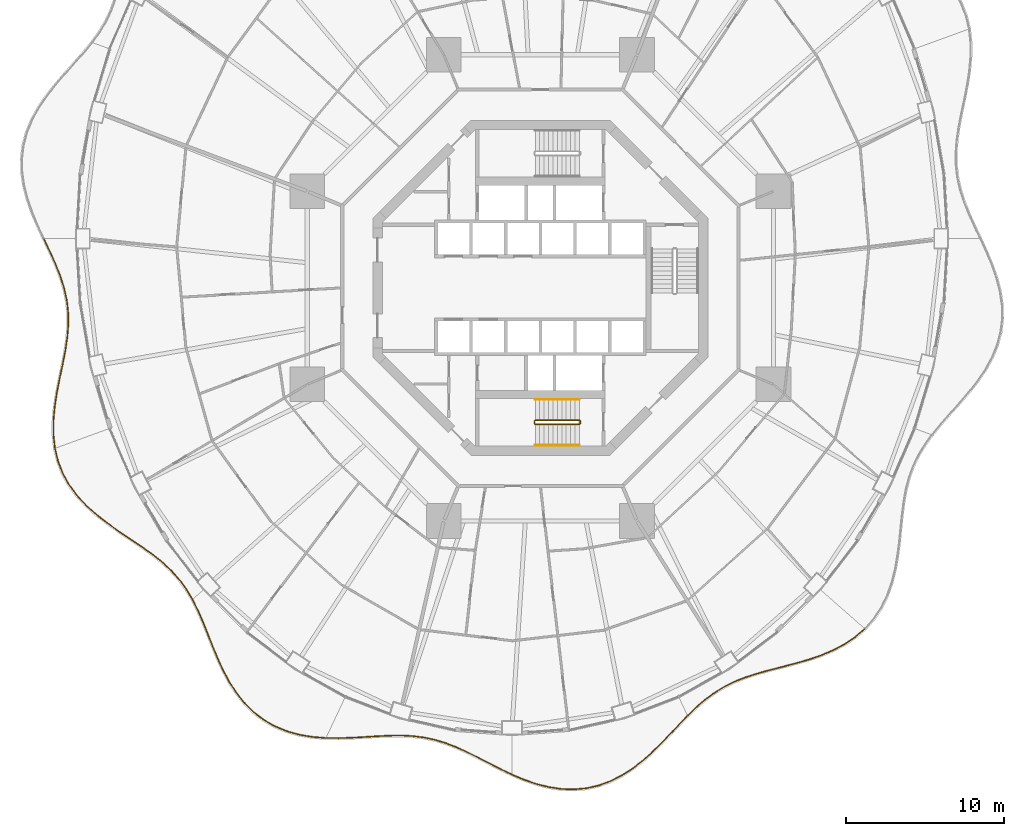
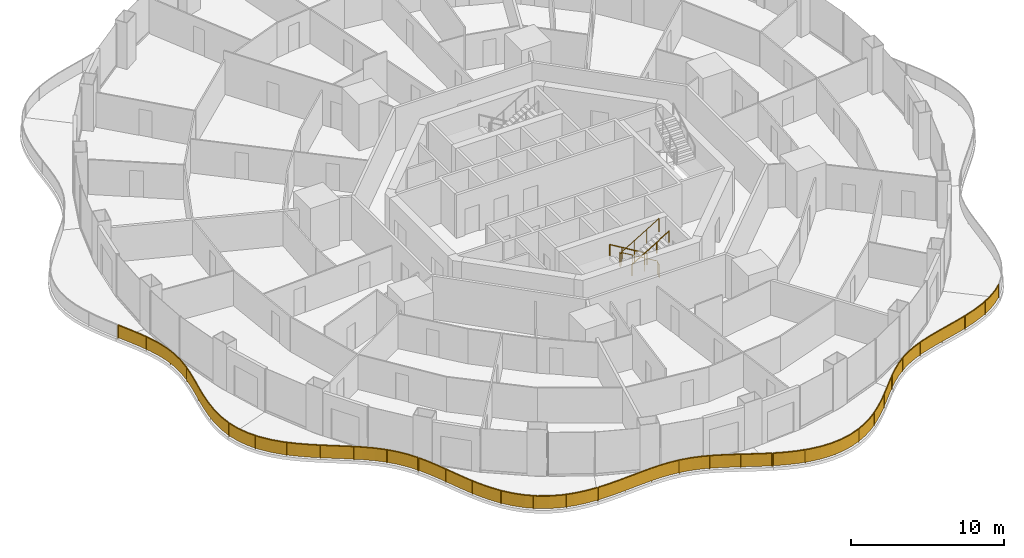
# One storey, part 20 of 22: 9 railings.
"""IFC4 building model written with IfcOpenShell, lengths in metres."""

from ifc_helpers import new_model, si_unit, direction, frame, origin, origin_2d, place, context, subcontext, project, spatial, polyline, rectangle, circle, outline, extrude, material, type_object, element, save


model = new_model("IFC4")

# Units and contexts
model_context = context("Model", 3, precision=1e-05, world=origin(), true_north=direction((0.0, 1.0)))
body_context = subcontext(model_context, "Body", "Model", "MODEL_VIEW")
ifc_project = project(units=[si_unit("LENGTHUNIT", "METRE"), si_unit("AREAUNIT", "SQUARE_METRE"), si_unit("VOLUMEUNIT", "CUBIC_METRE"), si_unit("PLANEANGLEUNIT", "RADIAN"), si_unit("MASSUNIT", "GRAM", prefix="KILO")], contexts=[model_context])

# Site, building, storey
site_placement = place(None, origin())
site = spatial("IfcSite", under=ifc_project, at=site_placement, CompositionType="ELEMENT")
building_placement = place(site_placement, origin())
building = spatial("IfcBuilding", under=site, at=building_placement, Name="Nagisa Residences", CompositionType="ELEMENT")
storey_placement = place(building_placement, frame((0.0, 0.0, 106.60009765625)))
storey = spatial("IfcBuildingStorey", under=building, at=storey_placement, Name="L26", CompositionType="ELEMENT", Elevation=106.60009765625)

# Railings
ifc_material_1 = material(Name="Stainless steel 316", Category="steel")
railing_type_1 = type_object("IfcRailingType", Name="BALCONY GUARD 1100", PredefinedType="BALUSTRADE", material=ifc_material_1)
railing_1_placement = place(storey_placement, frame((-31.473388671875, 3.08349609375, 0.0)))
element("IfcRailing", 1, at=railing_1_placement, inside=storey, type_object=railing_type_1, Name="guard:L26:bal08-0", PredefinedType="BALUSTRADE", context=body_context, shape_type="SweptSolid", body=[
    extrude(outline(polyline([(0.386474609375, -0.7548828125), (0.022705078125, 0.0107421875), (-0.022705078125, -0.0107421875), (0.341064453125, -0.77587890625), (0.6982421875, -1.56689453125), (1.008544921875, -2.3466796875), (1.2548828125, -3.119873046875), (1.424560546875, -3.893310546875), (1.51025390625, -4.65966796875), (1.516357421875, -5.453125), (1.449462890625, -6.2646484375), (1.3232421875, -7.097900390625), (1.1572265625, -7.953125), (0.97119140625, -8.815185546875), (0.796875, -9.70703125), (0.6572265625, -10.608154296875), (0.57666015625, -11.50927734375), (0.57568359375, -12.40087890625), (0.665771484375, -13.224853515625), (0.715576171875, -13.219482421875), (0.6259765625, -12.39794921875), (0.62646484375, -11.51171875), (0.70703125, -10.614013671875), (0.84619140625, -9.7158203125), (1.02001953125, -8.825439453125), (1.2060546875, -7.96337890625), (1.37255859375, -7.106201171875), (1.499267578125, -6.2705078125), (1.566650390625, -5.455078125), (1.56005859375, -4.65673828125), (1.473876953125, -3.885009765625), (1.30322265625, -3.106689453125), (1.055908203125, -2.32958984375), (0.744140625, -1.54736328125), (0.386474609375, -0.7548828125)])), frame((0.0, 0.0, 1.050048828125)), (0.0, 0.0, 1.0), 0.050048828125),
    extrude(outline(polyline([(0.3701171875, -0.762451171875), (0.00634765625, 0.0029296875), (-0.00634765625, -0.0029296875), (0.357421875, -0.768310546875), (0.71484375, -1.559814453125), (1.025634765625, -2.340576171875), (1.272216796875, -3.114990234375), (1.4423828125, -3.890380859375), (1.528076171875, -4.65869140625), (1.534423828125, -5.453857421875), (1.467529296875, -6.266845703125), (1.341064453125, -7.100830078125), (1.1748046875, -7.956787109375), (0.98876953125, -8.81884765625), (0.814697265625, -9.710205078125), (0.67529296875, -10.6103515625), (0.594482421875, -11.51025390625), (0.59375, -12.39990234375), (0.68359375, -13.222900390625), (0.69775390625, -13.221435546875), (0.60791015625, -12.39892578125), (0.608642578125, -11.5107421875), (0.68896484375, -10.61181640625), (0.828369140625, -9.712646484375), (1.00244140625, -8.82177734375), (1.1884765625, -7.959716796875), (1.354736328125, -7.103271484375), (1.481201171875, -6.268310546875), (1.548583984375, -5.454345703125), (1.542236328125, -4.65771484375), (1.4560546875, -3.887939453125), (1.285888671875, -3.111572265625), (1.038818359375, -2.335693359375), (0.7275390625, -1.554443359375), (0.3701171875, -0.762451171875)])), frame((0.0, 0.0, 0.06005859375)), (0.0, 0.0, 1.0), 0.989990234375),
    extrude(rectangle(XDim=0.0400390625, YDim=0.0400390625, at=origin_2d()), origin(), (0.0, 0.0, 1.0), 1.050048828125),
    extrude(rectangle(XDim=0.0400390625, YDim=0.0400390625, at=origin_2d()), frame((0.924072265625, -2.066650390625, 0.0)), (0.0, 0.0, 1.0), 1.050048828125),
    extrude(rectangle(XDim=0.0400390625, YDim=0.0400390625, at=origin_2d()), frame((1.48974609375, -4.251220703125, 0.0)), (0.0, 0.0, 1.0), 1.050048828125),
    extrude(rectangle(XDim=0.0400390625, YDim=0.0400390625, at=origin_2d()), frame((1.43798828125, -6.507568359375, 0.0)), (0.0, 0.0, 1.0), 1.050048828125),
    extrude(rectangle(XDim=0.0400390625, YDim=0.0400390625, at=origin_2d()), frame((1.014892578125, -8.7314453125, 0.0)), (0.0, 0.0, 1.0), 1.050048828125),
    extrude(rectangle(XDim=0.0400390625, YDim=0.0400390625, at=origin_2d()), frame((0.650390625, -10.96484375, 0.0)), (0.0, 0.0, 1.0), 1.050048828125),
    extrude(rectangle(XDim=0.0400390625, YDim=0.0400390625, at=origin_2d()), frame((0.690673828125, -13.22216796875, 0.0)), (0.0, 0.0, 1.0), 1.050048828125),
])
railing_2_placement = place(storey_placement, frame((-30.77001953125, -10.215087890625, 0.0)))
element("IfcRailing", 2, at=railing_2_placement, inside=storey, type_object=railing_type_1, Name="guard:L26:bal09-0", PredefinedType="BALUSTRADE", context=body_context, shape_type="SweptSolid", body=[
    extrude(outline(polyline([(0.207763671875, -0.75927734375), (0.0244140625, 0.005859375), (-0.0244140625, -0.005859375), (0.159912109375, -0.7744140625), (0.461669921875, -1.551513671875), (0.86669921875, -2.283935546875), (1.368408203125, -2.96826171875), (1.952880859375, -3.603271484375), (2.59765625, -4.177978515625), (3.295654296875, -4.7236328125), (4.01904296875, -5.236328125), (4.746337890625, -5.7265625), (5.457275390625, -6.20703125), (6.125732421875, -6.6787109375), (6.75537109375, -7.1796875), (7.328369140625, -7.7099609375), (7.840576171875, -8.27978515625), (8.294189453125, -8.896240234375), (8.67236328125, -9.52734375), (8.71533203125, -9.50146484375), (8.335693359375, -8.868408203125), (7.879638671875, -8.248046875), (7.364013671875, -7.6748046875), (6.7880859375, -7.1416015625), (6.156005859375, -6.638671875), (5.485595703125, -6.166015625), (4.774169921875, -5.68505859375), (4.04736328125, -5.1953125), (3.325439453125, -4.68359375), (2.6298828125, -4.139404296875), (1.988037109375, -3.567626953125), (1.406982421875, -2.9365234375), (0.9091796875, -2.257080078125), (0.507080078125, -1.530029296875), (0.207763671875, -0.75927734375)])), frame((0.0, 0.0, 1.050048828125)), (0.0, 0.0, 1.0), 0.050048828125),
    extrude(outline(polyline([(0.1904296875, -0.7646484375), (0.0068359375, 0.001708984375), (-0.0068359375, -0.001708984375), (0.17724609375, -0.76904296875), (0.47802734375, -1.543701171875), (0.882080078125, -2.274169921875), (1.38232421875, -2.956787109375), (1.965576171875, -3.59033203125), (2.609375, -4.1640625), (3.306396484375, -4.709228515625), (4.029296875, -5.2216796875), (4.75634765625, -5.711669921875), (5.467529296875, -6.1923828125), (6.13671875, -6.664306640625), (6.76708984375, -7.166015625), (7.34130859375, -7.697265625), (7.854736328125, -8.268310546875), (8.30908203125, -8.88623046875), (8.687744140625, -9.51806640625), (8.699951171875, -9.5107421875), (8.32080078125, -8.87841796875), (7.865478515625, -8.259521484375), (7.35107421875, -7.6875), (6.7763671875, -7.1552734375), (6.14501953125, -6.653076171875), (5.475341796875, -6.1806640625), (4.76416015625, -5.699951171875), (4.037109375, -5.2099609375), (3.314697265625, -4.697998046875), (2.6181640625, -4.1533203125), (1.975341796875, -3.58056640625), (1.39306640625, -2.947998046875), (0.893798828125, -2.266845703125), (0.49072265625, -1.537841796875), (0.1904296875, -0.7646484375)])), frame((0.0, 0.0, 0.06005859375)), (0.0, 0.0, 1.0), 0.989990234375),
    extrude(rectangle(XDim=0.0400390625, YDim=0.0400390625, at=origin_2d()), origin(), (0.0, 0.0, 1.0), 1.050048828125),
    extrude(rectangle(XDim=0.0400390625, YDim=0.0400390625, at=origin_2d()), frame((0.76611328125, -2.05029296875, 0.0)), (0.0, 0.0, 1.0), 1.050048828125),
    extrude(rectangle(XDim=0.0400390625, YDim=0.0400390625, at=origin_2d()), frame((2.152587890625, -3.74755859375, 0.0)), (0.0, 0.0, 1.0), 1.050048828125),
    extrude(rectangle(XDim=0.0400390625, YDim=0.0400390625, at=origin_2d()), frame((3.880615234375, -5.107666015625, 0.0)), (0.0, 0.0, 1.0), 1.050048828125),
    extrude(rectangle(XDim=0.0400390625, YDim=0.0400390625, at=origin_2d()), frame((5.699462890625, -6.347412109375, 0.0)), (0.0, 0.0, 1.0), 1.050048828125),
    extrude(rectangle(XDim=0.0400390625, YDim=0.0400390625, at=origin_2d()), frame((7.394287109375, -7.745849609375, 0.0)), (0.0, 0.0, 1.0), 1.050048828125),
    extrude(rectangle(XDim=0.0400390625, YDim=0.0400390625, at=origin_2d()), frame((8.69384765625, -9.514404296875, 0.0)), (0.0, 0.0, 1.0), 1.050048828125),
])
railing_3_placement = place(storey_placement, frame((-22.043701171875, -19.79248046875, 0.0)))
element("IfcRailing", 3, at=railing_3_placement, inside=storey, type_object=railing_type_1, Name="guard:L26:bal10-0", PredefinedType="BALUSTRADE", context=body_context, shape_type="SweptSolid", body=[
    extrude(outline(polyline([(0.34521484375, -0.634521484375), (0.0224609375, 0.01123046875), (-0.0224609375, -0.01123046875), (0.2998046875, -0.655517578125), (0.61572265625, -1.378173828125), (0.91943359375, -2.133056640625), (1.226318359375, -2.909423828125), (1.55126953125, -3.693115234375), (1.89697265625, -4.457275390625), (2.30029296875, -5.20703125), (2.75830078125, -5.91455078125), (3.278076171875, -6.563720703125), (3.8623046875, -7.140869140625), (4.498291015625, -7.627685546875), (5.204345703125, -8.03173828125), (5.96435546875, -8.344970703125), (6.766845703125, -8.568603515625), (7.6005859375, -8.709228515625), (8.40625, -8.771240234375), (8.41015625, -8.721435546875), (7.6064453125, -8.659423828125), (6.777587890625, -8.519775390625), (5.98046875, -8.297607421875), (5.226318359375, -7.98681640625), (4.526123046875, -7.585693359375), (3.89501953125, -7.103271484375), (3.315185546875, -6.530029296875), (2.798828125, -5.88525390625), (2.34326171875, -5.181640625), (1.94189453125, -4.435302734375), (1.59716796875, -3.673095703125), (1.272705078125, -2.890869140625), (0.9658203125, -2.114501953125), (0.662109375, -1.358642578125), (0.34521484375, -0.634521484375)])), frame((0.0, 0.0, 1.050048828125)), (0.0, 0.0, 1.0), 0.050048828125),
    extrude(outline(polyline([(0.328857421875, -0.64208984375), (0.00634765625, 0.003173828125), (-0.00634765625, -0.003173828125), (0.316162109375, -0.64794921875), (0.632568359375, -1.37109375), (0.93603515625, -2.12646484375), (1.242919921875, -2.90283203125), (1.56787109375, -3.685791015625), (1.9130859375, -4.449462890625), (2.315673828125, -5.197998046875), (2.77294921875, -5.904052734375), (3.29150390625, -6.551513671875), (3.8740234375, -7.12744140625), (4.50830078125, -7.612548828125), (5.212158203125, -8.015625), (5.97021484375, -8.327880859375), (6.770751953125, -8.551025390625), (7.602783203125, -8.691162109375), (8.40771484375, -8.75341796875), (8.40869140625, -8.7392578125), (7.604248046875, -8.677490234375), (6.773681640625, -8.537353515625), (5.974609375, -8.314697265625), (5.218505859375, -8.0029296875), (4.51611328125, -7.600830078125), (3.88330078125, -7.11669921875), (3.3017578125, -6.542236328125), (2.7841796875, -5.895751953125), (2.327880859375, -5.190673828125), (1.92578125, -4.443115234375), (1.58056640625, -3.680419921875), (1.256103515625, -2.8974609375), (0.94921875, -2.12109375), (0.645263671875, -1.36572265625), (0.328857421875, -0.64208984375)])), frame((0.0, 0.0, 0.06005859375)), (0.0, 0.0, 1.0), 0.989990234375),
    extrude(rectangle(XDim=0.0400390625, YDim=0.0400390625, at=origin_2d()), origin(), (0.0, 0.0, 1.0), 1.050048828125),
    extrude(rectangle(XDim=0.0400390625, YDim=0.0400390625, at=origin_2d()), frame((0.88916015625, -1.99072265625, 0.0)), (0.0, 0.0, 1.0), 1.050048828125),
    extrude(rectangle(XDim=0.0400390625, YDim=0.0400390625, at=origin_2d()), frame((1.720947265625, -4.00732421875, 0.0)), (0.0, 0.0, 1.0), 1.050048828125),
    extrude(rectangle(XDim=0.0400390625, YDim=0.0400390625, at=origin_2d()), frame((2.78466796875, -5.907470703125, 0.0)), (0.0, 0.0, 1.0), 1.050048828125),
    extrude(rectangle(XDim=0.0400390625, YDim=0.0400390625, at=origin_2d()), frame((4.310791015625, -7.45263671875, 0.0)), (0.0, 0.0, 1.0), 1.050048828125),
    extrude(rectangle(XDim=0.0400390625, YDim=0.0400390625, at=origin_2d()), frame((6.26025390625, -8.401611328125, 0.0)), (0.0, 0.0, 1.0), 1.050048828125),
    extrude(rectangle(XDim=0.0400390625, YDim=0.0400390625, at=origin_2d()), frame((8.408203125, -8.746337890625, 0.0)), (0.0, 0.0, 1.0), 1.050048828125),
])
railing_4_placement = place(storey_placement, frame((-13.558349609375, -28.541259765625, 0.0)))
element("IfcRailing", 4, at=railing_4_placement, inside=storey, type_object=railing_type_1, Name="guard:L26:bal11-0", PredefinedType="BALUSTRADE", context=body_context, shape_type="SweptSolid", body=[
    extrude(outline(polyline([(0.780517578125, 0.0166015625), (0.000244140625, 0.02490234375), (-0.000244140625, -0.02490234375), (0.781005859375, -0.03369140625), (1.606689453125, -0.0078125), (2.420654296875, 0.03857421875), (3.216796875, 0.087646484375), (3.990966796875, 0.122802734375), (4.724365234375, 0.133544921875), (5.451171875, 0.09716796875), (6.157958984375, 0.009033203125), (6.84912109375, -0.136474609375), (7.531005859375, -0.3408203125), (8.19287109375, -0.59814453125), (8.876708984375, -0.906005859375), (9.571044921875, -1.250244140625), (10.2802734375, -1.61669921875), (11.0087890625, -1.987548828125), (11.713134765625, -2.325927734375), (11.734619140625, -2.281005859375), (11.03076171875, -1.942626953125), (10.30322265625, -1.572265625), (9.593505859375, -1.205810546875), (8.898193359375, -0.860595703125), (8.21240234375, -0.5517578125), (7.547119140625, -0.29345703125), (6.861328125, -0.088134765625), (6.166259765625, 0.058349609375), (5.45556640625, 0.14697265625), (4.725341796875, 0.183837890625), (3.989501953125, 0.172607421875), (3.21435546875, 0.137451171875), (2.417724609375, 0.08837890625), (1.604248046875, 0.0419921875), (0.780517578125, 0.0166015625)])), frame((0.0, 0.0, 1.050048828125)), (0.0, 0.0, 1.0), 0.050048828125),
    extrude(outline(polyline([(0.78076171875, -0.00146484375), (0.0, 0.007080078125), (0.0, -0.007080078125), (0.78076171875, -0.015625), (1.605712890625, 0.010009765625), (2.419677734375, 0.056396484375), (3.216064453125, 0.10546875), (3.990478515625, 0.140625), (4.724609375, 0.151611328125), (5.452880859375, 0.114990234375), (6.160888671875, 0.02685546875), (6.853515625, -0.119140625), (7.536865234375, -0.32373046875), (8.199951171875, -0.581298828125), (8.884521484375, -0.8896484375), (9.5791015625, -1.234375), (10.28857421875, -1.600830078125), (11.0166015625, -1.971435546875), (11.720947265625, -2.309814453125), (11.726806640625, -2.297119140625), (11.02294921875, -1.958740234375), (10.294921875, -1.588134765625), (9.58544921875, -1.2216796875), (8.890380859375, -0.876953125), (8.205322265625, -0.568603515625), (7.541259765625, -0.310546875), (6.85693359375, -0.10546875), (6.163330078125, 0.04052734375), (5.453857421875, 0.129150390625), (4.72509765625, 0.165771484375), (3.989990234375, 0.15478515625), (3.215087890625, 0.11962890625), (2.418701171875, 0.070556640625), (1.605224609375, 0.024169921875), (0.78076171875, -0.00146484375)])), frame((0.0, 0.0, 0.06005859375)), (0.0, 0.0, 1.0), 0.989990234375),
    extrude(rectangle(XDim=0.0400390625, YDim=0.0400390625, at=origin_2d()), origin(), (0.0, 0.0, 1.0), 1.050048828125),
    extrude(rectangle(XDim=0.0400390625, YDim=0.0400390625, at=origin_2d()), frame((2.037109375, 0.041748046875, 0.0)), (0.0, 0.0, 1.0), 1.050048828125),
    extrude(rectangle(XDim=0.0400390625, YDim=0.0400390625, at=origin_2d()), frame((4.072509765625, 0.14892578125, 0.0)), (0.0, 0.0, 1.0), 1.050048828125),
    extrude(rectangle(XDim=0.0400390625, YDim=0.0400390625, at=origin_2d()), frame((6.10498046875, 0.040771484375, 0.0)), (0.0, 0.0, 1.0), 1.050048828125),
    extrude(rectangle(XDim=0.0400390625, YDim=0.0400390625, at=origin_2d()), frame((8.0595703125, -0.519287109375, 0.0)), (0.0, 0.0, 1.0), 1.050048828125),
    extrude(rectangle(XDim=0.0400390625, YDim=0.0400390625, at=origin_2d()), frame((9.900634765625, -1.392578125, 0.0)), (0.0, 0.0, 1.0), 1.050048828125),
    extrude(rectangle(XDim=0.0400390625, YDim=0.0400390625, at=origin_2d()), frame((11.723876953125, -2.303466796875, 0.0)), (0.0, 0.0, 1.0), 1.050048828125),
])
railing_5_placement = place(storey_placement, frame((-1.764892578125, -30.87744140625, 0.0)))
element("IfcRailing", 5, at=railing_5_placement, inside=storey, type_object=railing_type_1, Name="guard:L26:bal12-0", PredefinedType="BALUSTRADE", context=body_context, shape_type="SweptSolid", body=[
    extrude(outline(polyline([(0.731689453125, -0.28369140625), (0.009765625, 0.02294921875), (-0.009765625, -0.02294921875), (0.713623046875, -0.33056640625), (1.49853515625, -0.60107421875), (2.295654296875, -0.802978515625), (3.098876953125, -0.921875), (3.899169921875, -0.9482421875), (4.67578125, -0.877197265625), (5.45166015625, -0.703369140625), (6.203369140625, -0.431640625), (6.926025390625, -0.070068359375), (7.615478515625, 0.369873046875), (8.253662109375, 0.868896484375), (8.874755859375, 1.420166015625), (9.465576171875, 2.000244140625), (10.031982421875, 2.590576171875), (10.5810546875, 3.173828125), (11.08935546875, 3.70361328125), (11.05322265625, 3.73828125), (10.544921875, 3.20849609375), (9.995849609375, 2.625244140625), (9.429931640625, 2.035400390625), (8.840576171875, 1.456787109375), (8.221435546875, 0.907470703125), (7.586669921875, 0.410888671875), (6.901123046875, -0.026611328125), (6.183837890625, -0.3857421875), (5.4375, -0.655029296875), (4.66796875, -0.827880859375), (3.897705078125, -0.89794921875), (3.103271484375, -0.8720703125), (2.305419921875, -0.753662109375), (1.5126953125, -0.55322265625), (0.731689453125, -0.28369140625)])), frame((0.0, 0.0, 1.050048828125)), (0.0, 0.0, 1.0), 0.050048828125),
    extrude(outline(polyline([(0.72509765625, -0.300537109375), (0.002685546875, 0.00634765625), (-0.002685546875, -0.00634765625), (0.72021484375, -0.313720703125), (1.503662109375, -0.583740234375), (2.299072265625, -0.78515625), (3.100341796875, -0.904052734375), (3.898681640625, -0.93017578125), (4.6728515625, -0.859375), (5.446533203125, -0.68603515625), (6.1962890625, -0.4150390625), (6.9169921875, -0.054443359375), (7.605224609375, 0.384765625), (8.241943359375, 0.8828125), (8.862548828125, 1.433349609375), (9.45263671875, 2.012939453125), (10.01904296875, 2.60302734375), (10.568115234375, 3.186279296875), (11.076416015625, 3.716064453125), (11.066162109375, 3.725830078125), (10.557861328125, 3.196044921875), (10.0087890625, 2.61279296875), (9.44287109375, 2.022705078125), (8.852783203125, 1.443603515625), (8.233154296875, 0.8935546875), (7.596923828125, 0.39599609375), (6.91015625, -0.042236328125), (6.19091796875, -0.40234375), (5.442626953125, -0.67236328125), (4.6708984375, -0.845703125), (3.898193359375, -0.916015625), (3.101806640625, -0.889892578125), (2.302001953125, -0.771484375), (1.507568359375, -0.570556640625), (0.72509765625, -0.300537109375)])), frame((0.0, 0.0, 0.06005859375)), (0.0, 0.0, 1.0), 0.989990234375),
    extrude(rectangle(XDim=0.0400390625, YDim=0.0400390625, at=origin_2d()), origin(), (0.0, 0.0, 1.0), 1.050048828125),
    extrude(rectangle(XDim=0.0400390625, YDim=0.0400390625, at=origin_2d()), frame((2.0166015625, -0.70654296875, 0.0)), (0.0, 0.0, 1.0), 1.050048828125),
    extrude(rectangle(XDim=0.0400390625, YDim=0.0400390625, at=origin_2d()), frame((4.137939453125, -0.901123046875, 0.0)), (0.0, 0.0, 1.0), 1.050048828125),
    extrude(rectangle(XDim=0.0400390625, YDim=0.0400390625, at=origin_2d()), frame((6.2080078125, -0.4013671875, 0.0)), (0.0, 0.0, 1.0), 1.050048828125),
    extrude(rectangle(XDim=0.0400390625, YDim=0.0400390625, at=origin_2d()), frame((8.023193359375, 0.720703125, 0.0)), (0.0, 0.0, 1.0), 1.050048828125),
    extrude(rectangle(XDim=0.0400390625, YDim=0.0400390625, at=origin_2d()), frame((9.594970703125, 2.171142578125, 0.0)), (0.0, 0.0, 1.0), 1.050048828125),
    extrude(rectangle(XDim=0.0400390625, YDim=0.0400390625, at=origin_2d()), frame((11.0712890625, 3.720947265625, 0.0)), (0.0, 0.0, 1.0), 1.050048828125),
])
railing_6_placement = place(storey_placement, frame((9.357177734375, -27.1025390625, 0.0)))
element("IfcRailing", 6, at=railing_6_placement, inside=storey, type_object=railing_type_1, Name="guard:L26:bal13-0", PredefinedType="BALUSTRADE", context=body_context, shape_type="SweptSolid", body=[
    extrude(outline(polyline([(0.5126953125, 0.531982421875), (-0.017333984375, 0.01806640625), (0.017333984375, -0.01806640625), (0.54638671875, 0.494873046875), (1.120361328125, 0.988037109375), (1.7158203125, 1.4248046875), (2.34130859375, 1.803466796875), (3.002197265625, 2.127197265625), (3.688232421875, 2.3935546875), (4.42626953125, 2.6318359375), (5.198486328125, 2.845947265625), (5.997802734375, 3.0517578125), (6.812744140625, 3.26513671875), (7.618896484375, 3.4921875), (8.425537109375, 3.7685546875), (9.204833984375, 4.0966796875), (9.94189453125, 4.48681640625), (10.622802734375, 4.945068359375), (11.19970703125, 5.442626953125), (11.1669921875, 5.480712890625), (10.592529296875, 4.985107421875), (9.916015625, 4.52978515625), (9.183349609375, 4.14208984375), (8.407470703125, 3.8154296875), (7.603759765625, 3.5400390625), (6.799560546875, 3.3134765625), (5.985107421875, 3.10009765625), (5.185791015625, 2.894287109375), (4.412109375, 2.6796875), (3.671630859375, 2.44091796875), (2.982177734375, 2.173095703125), (2.3173828125, 1.847412109375), (1.68798828125, 1.46630859375), (1.089111328125, 1.027099609375), (0.5126953125, 0.531982421875)])), frame((0.0, 0.0, 1.050048828125)), (0.0, 0.0, 1.0), 0.050048828125),
    extrude(outline(polyline([(0.52490234375, 0.5185546875), (-0.0048828125, 0.005126953125), (0.0048828125, -0.005126953125), (0.5341796875, 0.50830078125), (1.109130859375, 1.002197265625), (1.705810546875, 1.439697265625), (2.332763671875, 1.8193359375), (2.9951171875, 2.143798828125), (3.682373046875, 2.41064453125), (4.421142578125, 2.649169921875), (5.19384765625, 2.86328125), (5.9931640625, 3.069091796875), (6.80810546875, 3.282470703125), (7.613525390625, 3.509521484375), (8.4189453125, 3.785400390625), (9.197021484375, 4.113037109375), (9.9326171875, 4.502197265625), (10.61181640625, 4.95947265625), (11.18798828125, 5.456298828125), (11.1787109375, 5.467041015625), (10.603515625, 4.970703125), (9.92529296875, 4.514404296875), (9.191162109375, 4.125732421875), (8.4140625, 3.798583984375), (7.609130859375, 3.522705078125), (6.80419921875, 3.296142578125), (5.98974609375, 3.082763671875), (5.1904296875, 2.876953125), (4.417236328125, 2.662353515625), (3.677490234375, 2.423828125), (2.9892578125, 2.156494140625), (2.325927734375, 1.83154296875), (1.697998046875, 1.451416015625), (1.100341796875, 1.012939453125), (0.52490234375, 0.5185546875)])), frame((0.0, 0.0, 0.06005859375)), (0.0, 0.0, 1.0), 0.989990234375),
    extrude(rectangle(XDim=0.0400390625, YDim=0.0400390625, at=origin_2d()), origin(), (0.0, 0.0, 1.0), 1.050048828125),
    extrude(rectangle(XDim=0.0400390625, YDim=0.0400390625, at=origin_2d()), frame((1.596435546875, 1.3681640625, 0.0)), (0.0, 0.0, 1.0), 1.050048828125),
    extrude(rectangle(XDim=0.0400390625, YDim=0.0400390625, at=origin_2d()), frame((3.461181640625, 2.332275390625, 0.0)), (0.0, 0.0, 1.0), 1.050048828125),
    extrude(rectangle(XDim=0.0400390625, YDim=0.0400390625, at=origin_2d()), frame((5.474853515625, 2.94287109375, 0.0)), (0.0, 0.0, 1.0), 1.050048828125),
    extrude(rectangle(XDim=0.0400390625, YDim=0.0400390625, at=origin_2d()), frame((7.5087890625, 3.4873046875, 0.0)), (0.0, 0.0, 1.0), 1.050048828125),
    extrude(rectangle(XDim=0.0400390625, YDim=0.0400390625, at=origin_2d()), frame((9.462890625, 4.26171875, 0.0)), (0.0, 0.0, 1.0), 1.050048828125),
    extrude(rectangle(XDim=0.0400390625, YDim=0.0400390625, at=origin_2d()), frame((11.183349609375, 5.461669921875, 0.0)), (0.0, 0.0, 1.0), 1.050048828125),
])
ifc_material_2 = material(Name="Stainless steel", Category="steel")
railing_type_2 = type_object("IfcRailingType", Name="Stair guard 1100", PredefinedType="GUARDRAIL", material=ifc_material_2)
railing_7_placement = place(storey_placement, frame((2.52490234375, -8.599609375, 0.0)))
element("IfcRailing", 7, at=railing_7_placement, inside=storey, type_object=railing_type_2, Name="L26 ST-S stair guard 1", PredefinedType="GUARDRAIL", context=body_context, shape_type="SweptSolid", body=[
    extrude(circle(Radius=0.02392578125, at=origin_2d()), frame((0.0, 0.0, 1.076171875), z_axis=(0.0, 1.0, 0.0), x_axis=(-1.0, 0.0, 0.0)), (0.0, 0.0, 1.0), 0.14990234375),
    extrude(circle(Radius=0.02392578125, at=origin_2d()), frame((0.0, 0.14990234375, 1.076171875), z_axis=(-0.273343290215, 0.274683208305, 0.921863645432), x_axis=(-0.708833529934, -0.705375805398, 0.0)), (0.0, 0.0, 1.0), 0.18212890625),
    extrude(circle(Radius=0.02392578125, at=origin_2d()), frame((-0.0498046875, 0.199951171875, 1.244140625), z_axis=(-0.857242210791, 0.0, 0.514913383045), x_axis=(0.0, -1.0, 0.0)), (0.0, 0.0, 1.0), 3.266357421875),
    extrude(circle(Radius=0.02392578125, at=origin_2d()), frame((-2.849853515625, 0.199951171875, 2.92578125), z_axis=(-0.707106781187, -0.707106781187, 0.0), x_axis=(0.707106781187, -0.707106781187, 0.0)), (0.0, 0.0, 1.0), 0.07080078125),
    extrude(circle(Radius=0.02392578125, at=origin_2d()), frame((-2.89990234375, 0.14990234375, 2.92578125), z_axis=(0.0, -1.0, 0.0), x_axis=(1.0, 0.0, 0.0)), (0.0, 0.0, 1.0), 0.14990234375),
    extrude(circle(Radius=0.02392578125, at=origin_2d()), frame((-2.89990234375, 0.0, 2.92578125), z_axis=(0.274243871929, -0.274243871929, 0.92172696468), x_axis=(0.707106781187, 0.707106781187, 0.0)), (0.0, 0.0, 1.0), 0.1826171875),
    extrude(circle(Radius=0.02392578125, at=origin_2d()), frame((-2.849853515625, -0.050048828125, 3.09423828125), z_axis=(0.857242210791, 0.0, 0.514913383045), x_axis=(0.0, 1.0, 0.0)), (0.0, 0.0, 1.0), 3.266357421875),
    extrude(circle(Radius=0.02099609375, at=origin_2d()), origin(), (0.0, 0.0, 1.0), 1.052001953125),
    extrude(circle(Radius=0.02099609375, at=origin_2d()), frame((0.0, 0.14990234375, 0.0)), (0.0, 0.0, 1.0), 1.052001953125),
    extrude(circle(Radius=0.02099609375, at=origin_2d()), frame((-0.0498046875, 0.199951171875, 0.16796875)), (0.0, 0.0, 1.0), 1.052001953125),
    extrude(circle(Radius=0.02099609375, at=origin_2d()), frame((-0.983154296875, 0.199951171875, 0.728515625)), (0.0, 0.0, 1.0), 1.052001953125),
    extrude(circle(Radius=0.02099609375, at=origin_2d()), frame((-1.91650390625, 0.199951171875, 1.289306640625)), (0.0, 0.0, 1.0), 1.052001953125),
    extrude(circle(Radius=0.02099609375, at=origin_2d()), frame((-2.849853515625, 0.199951171875, 1.849853515625)), (0.0, 0.0, 1.0), 1.052001953125),
    extrude(circle(Radius=0.02099609375, at=origin_2d()), frame((-2.89990234375, 0.14990234375, 1.849853515625)), (0.0, 0.0, 1.0), 1.052001953125),
    extrude(circle(Radius=0.02099609375, at=origin_2d()), frame((-2.89990234375, 0.0, 1.849853515625)), (0.0, 0.0, 1.0), 1.052001953125),
    extrude(circle(Radius=0.02099609375, at=origin_2d()), frame((-2.849853515625, -0.050048828125, 2.01806640625)), (0.0, 0.0, 1.0), 1.052001953125),
    extrude(circle(Radius=0.02099609375, at=origin_2d()), frame((-1.91650390625, -0.050048828125, 2.57861328125)), (0.0, 0.0, 1.0), 1.052001953125),
    extrude(circle(Radius=0.02099609375, at=origin_2d()), frame((-0.983154296875, -0.050048828125, 3.139404296875)), (0.0, 0.0, 1.0), 1.052001953125),
    extrude(circle(Radius=0.02099609375, at=origin_2d()), frame((-0.0498046875, -0.050048828125, 3.699951171875)), (0.0, 0.0, 1.0), 1.052001953125),
])
ifc_material_3 = material(Name="Stainless steel", Category="steel")
railing_type_3 = type_object("IfcRailingType", Name="Stair handrail 900", PredefinedType="HANDRAIL", material=ifc_material_3)
railing_8_placement = place(storey_placement, frame((2.47509765625, -7.07470703125, 0.16796875)))
element("IfcRailing", 8, at=railing_8_placement, inside=storey, type_object=railing_type_3, Name="L26 ST-S stair handrail 1", PredefinedType="HANDRAIL", context=body_context, shape_type="SweptSolid", body=[
    extrude(circle(Radius=0.02392578125, at=origin_2d()), frame((0.0, 0.0, 0.8759765625), z_axis=(-0.857242210791, 0.0, 0.514913383045), x_axis=(0.0, -1.0, 0.0)), (0.0, 0.0, 1.0), 3.266357421875),
    extrude(circle(Radius=0.02099609375, at=origin_2d()), origin(), (0.0, 0.0, 1.0), 0.851806640625),
    extrude(circle(Radius=0.02099609375, at=origin_2d()), frame((-0.933349609375, 0.0, 0.560546875)), (0.0, 0.0, 1.0), 0.851806640625),
    extrude(circle(Radius=0.02099609375, at=origin_2d()), frame((-1.86669921875, 0.0, 1.121337890625)), (0.0, 0.0, 1.0), 0.851806640625),
    extrude(circle(Radius=0.02099609375, at=origin_2d()), frame((-2.800048828125, 0.0, 1.681884765625)), (0.0, 0.0, 1.0), 0.851806640625),
])
railing_9_placement = place(storey_placement, frame((-0.324951171875, -9.974609375, 2.01806640625)))
element("IfcRailing", 9, at=railing_9_placement, inside=storey, type_object=railing_type_3, Name="L26 ST-S stair handrail 2", PredefinedType="HANDRAIL", context=body_context, shape_type="SweptSolid", body=[
    extrude(circle(Radius=0.02392578125, at=origin_2d()), frame((0.0, 0.0, 0.8759765625), z_axis=(0.857242210791, 0.0, 0.514913383045), x_axis=(0.0, 1.0, 0.0)), (0.0, 0.0, 1.0), 3.266357421875),
    extrude(circle(Radius=0.02099609375, at=origin_2d()), origin(), (0.0, 0.0, 1.0), 0.851806640625),
    extrude(circle(Radius=0.02099609375, at=origin_2d()), frame((0.933349609375, 0.0, 0.560546875)), (0.0, 0.0, 1.0), 0.851806640625),
    extrude(circle(Radius=0.02099609375, at=origin_2d()), frame((1.86669921875, 0.0, 1.121337890625)), (0.0, 0.0, 1.0), 0.851806640625),
    extrude(circle(Radius=0.02099609375, at=origin_2d()), frame((2.800048828125, 0.0, 1.681884765625)), (0.0, 0.0, 1.0), 0.851806640625),
])

save(model, "model.ifc")
